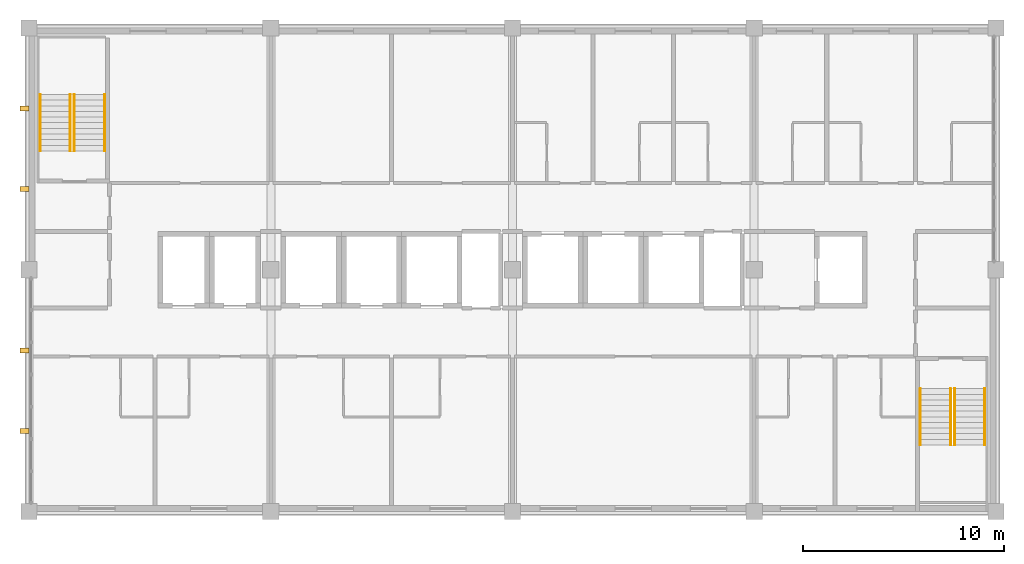
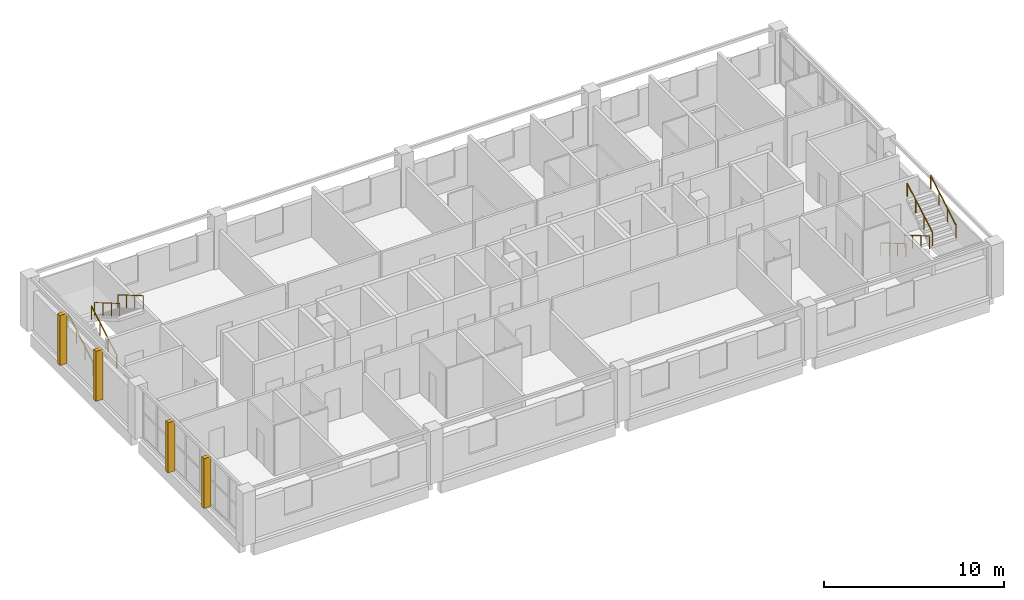
# One storey, part 11 of 11: 8 railings, 4 coverings.
"""IFC4 building model written with IfcOpenShell, lengths in metres."""

from ifc_helpers import new_model, si_unit, direction, frame, frame_2d, origin, origin_2d, place, context, subcontext, project, spatial, rectangle, circle, extrude, material, layer, layer_set, type_object, element, save


model = new_model("IFC4")

# Units and contexts
model_context = context("Model", 3, precision=1e-05, world=origin(), true_north=direction((0.0, 1.0)))
body_context = subcontext(model_context, "Body", "Model", "MODEL_VIEW")
ifc_project = project(units=[si_unit("LENGTHUNIT", "METRE"), si_unit("AREAUNIT", "SQUARE_METRE"), si_unit("VOLUMEUNIT", "CUBIC_METRE"), si_unit("PLANEANGLEUNIT", "RADIAN"), si_unit("MASSUNIT", "GRAM", prefix="KILO")], contexts=[model_context])

# Site, building, storey
site_placement = place(None, origin())
site = spatial("IfcSite", under=ifc_project, at=site_placement, CompositionType="ELEMENT")
building_placement = place(site_placement, origin())
building = spatial("IfcBuilding", under=site, at=building_placement, Name="Lilac Gate Convention Centre", CompositionType="ELEMENT")
storey_placement = place(building_placement, frame((0.0, 0.0, 39.0)))
storey = spatial("IfcBuildingStorey", under=building, at=storey_placement, Name="L09", CompositionType="ELEMENT", Elevation=39.0)

# Coverings
ifc_material_1 = material(Name="Concrete C40 precast", Category="concrete")
ifc_layer_1 = layer(ifc_material_1, 0.22998046875)
ifc_material_2 = material(Name="Terracotta glazed cladding", Category="masonry")
ifc_layer_2 = layer(ifc_material_2, 0.02001953125)
ifc_layer_set = layer_set([ifc_layer_1, ifc_layer_2], Name="Concrete C40 precast, Terracotta glazed cladding")
covering_type = type_object("IfcCoveringType", Name="Precast fin 250 x 450", PredefinedType="CLADDING", material=ifc_layer_set)
for number, where, z_axis, x_axis, name in (
    (1, (41.550048828125, 226.0, 0.0), (0.0, 0.0, 1.0), (1.0, 0.0, 0.0), "Precast fin west L09 226"),
    (2, (41.550048828125, 230.0, 0.0), (0.0, 0.0, 1.0), (1.0, 0.0, 0.0), "Precast fin west L09 230"),
    (3, (41.550048828125, 238.0, 0.0), (0.0, 0.0, 1.0), (1.0, 0.0, 0.0), "Precast fin west L09 238"),
    (4, (41.550048828125, 242.0, 0.0), (0.0, 0.0, 1.0), (1.0, 0.0, 0.0), "Precast fin west L09 242"),
):
    element("IfcCovering", number, at=place(storey_placement, frame(where, z_axis=z_axis, x_axis=x_axis)), inside=storey, type_object=covering_type, Name=name, PredefinedType="CLADDING", context=body_context, shape_type="SweptSolid", body=[
        extrude(rectangle(XDim=0.449951171875, YDim=0.25, at=frame_2d((0.22509765625, 0.0))), origin(), (0.0, 0.0, 1.0), 3.39990234375),
    ])

# Railings
ifc_material_3 = material(Name="Stainless steel 304", Category="steel")
railing_type = type_object("IfcRailingType", Name="Stair handrail", PredefinedType="HANDRAIL", material=ifc_material_3)
for number, where, name in (
    (5, (42.550048828125, 239.89990234375, 0.16357421875), "Handrail NW L09 flight 1"),
    (6, (44.050048828125, 239.89990234375, 0.16357421875), "Handrail NW L09 flight 1"),
):
    element("IfcRailing", number, at=place(storey_placement, frame(where)), inside=storey, type_object=railing_type, Name=name, PredefinedType="HANDRAIL", context=body_context, shape_type="SweptSolid", body=[
        extrude(circle(Radius=0.02392578125, at=origin_2d()), frame((0.0, 0.0, 0.8759765625), z_axis=(0.0, 0.863360870873, 0.504586966384), x_axis=(-1.0, 0.0, 0.0)), (0.0, 0.0, 1.0), 3.2431640625),
        extrude(circle(Radius=0.02099609375, at=origin_2d()), origin(), (0.0, 0.0, 1.0), 0.851806640625),
        extrude(circle(Radius=0.02099609375, at=origin_2d()), frame((0.0, 0.933349609375, 0.54541015625)), (0.0, 0.0, 1.0), 0.851806640625),
        extrude(circle(Radius=0.02099609375, at=origin_2d()), frame((0.0, 1.86669921875, 1.091064453125)), (0.0, 0.0, 1.0), 0.851806640625),
        extrude(circle(Radius=0.02099609375, at=origin_2d()), frame((0.0, 2.800048828125, 1.636474609375)), (0.0, 0.0, 1.0), 0.851806640625),
    ])
for number, where, name in (
    (7, (45.75, 242.699951171875, 1.963623046875), "Handrail NW L09 flight 2"),
    (8, (44.25, 242.699951171875, 1.963623046875), "Handrail NW L09 flight 2"),
    (9, (87.75, 228.10009765625, 0.16357421875), "Handrail SE L09 flight 1"),
    (10, (86.25, 228.10009765625, 0.16357421875), "Handrail SE L09 flight 1"),
):
    element("IfcRailing", number, at=place(storey_placement, frame(where)), inside=storey, type_object=railing_type, Name=name, PredefinedType="HANDRAIL", context=body_context, shape_type="SweptSolid", body=[
        extrude(circle(Radius=0.02392578125, at=origin_2d()), frame((0.0, 0.0, 0.8759765625), z_axis=(0.0, -0.863360870873, 0.504586966384), x_axis=(1.0, 0.0, 0.0)), (0.0, 0.0, 1.0), 3.2431640625),
        extrude(circle(Radius=0.02099609375, at=origin_2d()), origin(), (0.0, 0.0, 1.0), 0.851806640625),
        extrude(circle(Radius=0.02099609375, at=origin_2d()), frame((0.0, -0.933349609375, 0.54541015625)), (0.0, 0.0, 1.0), 0.851806640625),
        extrude(circle(Radius=0.02099609375, at=origin_2d()), frame((0.0, -1.86669921875, 1.091064453125)), (0.0, 0.0, 1.0), 0.851806640625),
        extrude(circle(Radius=0.02099609375, at=origin_2d()), frame((0.0, -2.800048828125, 1.636474609375)), (0.0, 0.0, 1.0), 0.851806640625),
    ])
for number, where, name in (
    (11, (87.949951171875, 225.300048828125, 1.963623046875), "Handrail SE L09 flight 2"),
    (12, (89.449951171875, 225.300048828125, 1.963623046875), "Handrail SE L09 flight 2"),
):
    element("IfcRailing", number, at=place(storey_placement, frame(where)), inside=storey, type_object=railing_type, Name=name, PredefinedType="HANDRAIL", context=body_context, shape_type="SweptSolid", body=[
        extrude(circle(Radius=0.02392578125, at=origin_2d()), frame((0.0, 0.0, 0.8759765625), z_axis=(0.0, 0.863360870873, 0.504586966384), x_axis=(-1.0, 0.0, 0.0)), (0.0, 0.0, 1.0), 3.2431640625),
        extrude(circle(Radius=0.02099609375, at=origin_2d()), origin(), (0.0, 0.0, 1.0), 0.851806640625),
        extrude(circle(Radius=0.02099609375, at=origin_2d()), frame((0.0, 0.933349609375, 0.54541015625)), (0.0, 0.0, 1.0), 0.851806640625),
        extrude(circle(Radius=0.02099609375, at=origin_2d()), frame((0.0, 1.86669921875, 1.091064453125)), (0.0, 0.0, 1.0), 0.851806640625),
        extrude(circle(Radius=0.02099609375, at=origin_2d()), frame((0.0, 2.800048828125, 1.636474609375)), (0.0, 0.0, 1.0), 0.851806640625),
    ])

save(model, "model.ifc")
